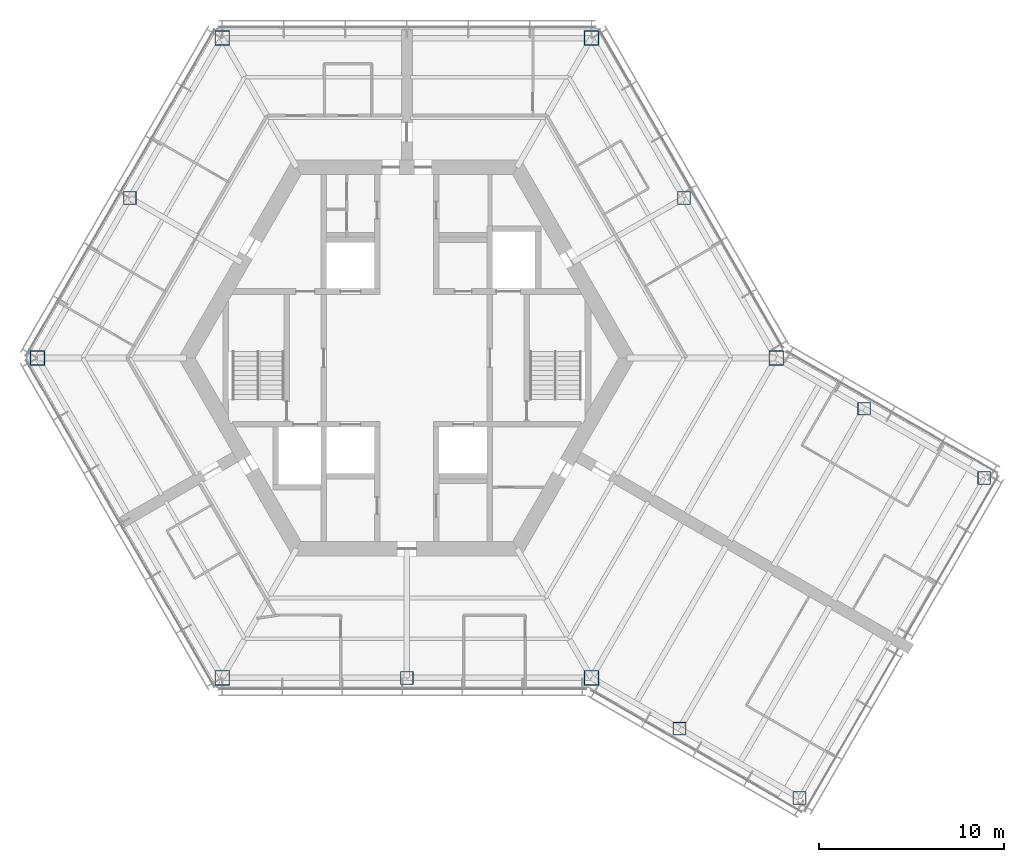
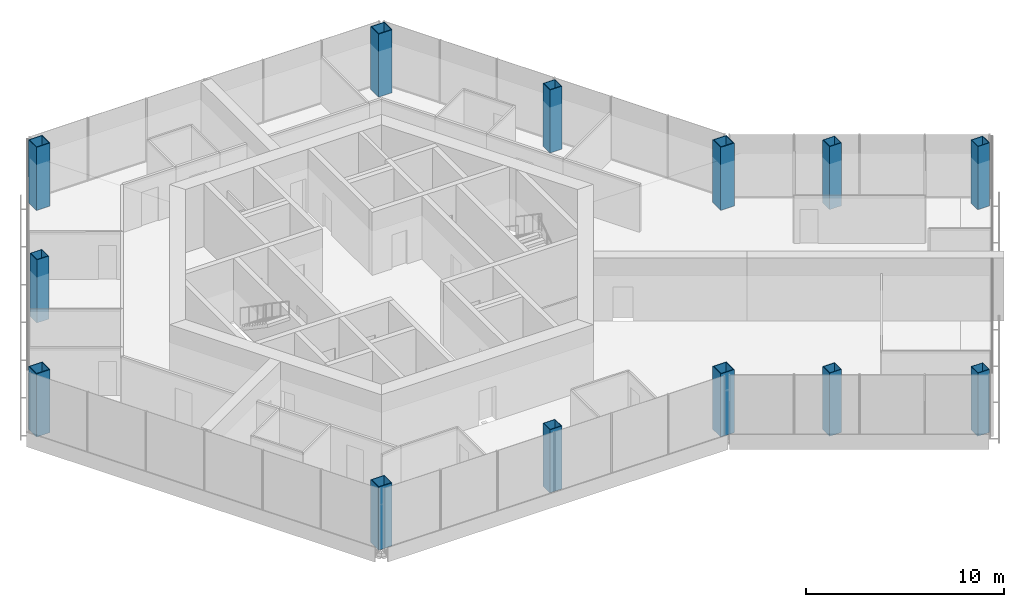
# One storey, part 1 of 16: 13 columns.
"""IFC4 building model written with IfcOpenShell, lengths in metres."""

from ifc_helpers import new_model, si_unit, direction, frame, origin, origin_2d, place, context, subcontext, project, spatial, hollow_rectangle, extrude, material, material_profile, profile_set, type_object, element, save


model = new_model("IFC4")

# Units and contexts
model_context = context("Model", 3, precision=1e-05, world=origin(), true_north=direction((0.0, 1.0)))
body_context = subcontext(model_context, "Body", "Model", "MODEL_VIEW")
ifc_project = project(units=[si_unit("LENGTHUNIT", "METRE"), si_unit("AREAUNIT", "SQUARE_METRE"), si_unit("VOLUMEUNIT", "CUBIC_METRE"), si_unit("PLANEANGLEUNIT", "RADIAN"), si_unit("MASSUNIT", "GRAM", prefix="KILO")], contexts=[model_context])

# Site, building, storey
site_placement = place(None, origin())
site = spatial("IfcSite", under=ifc_project, at=site_placement, CompositionType="ELEMENT")
building_placement = place(site_placement, origin())
building = spatial("IfcBuilding", under=site, at=building_placement, Name="Kasaneha Research Tower", CompositionType="ELEMENT")
storey_placement = place(building_placement, frame((0.0, 0.0, 259.60009765625)))
storey = spatial("IfcBuildingStorey", under=building, at=storey_placement, Name="L65", CompositionType="ELEMENT", Elevation=259.60009765625)

# Columns
ifc_material_1 = material(Name="Steel SN490C", Category="steel")
ifc_material_profile_1 = material_profile(ifc_material_1, hollow_rectangle(XDim=0.800048828125, YDim=0.800048828125, WallThickness=0.0400390625, at=origin_2d()), Name="BOX-800x800x40")
ifc_profile_set_1 = profile_set([ifc_material_profile_1], Name="Steel SN490C")
column_type_1 = type_object("IfcColumnType", Name="C4A column BOX-800x800x40", PredefinedType="COLUMN", material=ifc_profile_set_1)
for number, where, z_axis, x_axis, name in (
    (1, (20.0, 0.0, 0.0), (0.0, 0.0, 1.0), (1.0, 0.0, 0.0), "Column V0 L65"),
    (2, (10.0, 17.320556640625, 0.0), (0.0, 0.0, 1.0), (1.0, 0.0, 0.0), "Column V1 L65"),
    (3, (-10.0, 17.320556640625, 0.0), (0.0, 0.0, 1.0), (1.0, 0.0, 0.0), "Column V2 L65"),
    (4, (-20.0, 0.0, 0.0), (0.0, 0.0, 1.0), (1.0, 0.0, 0.0), "Column V3 L65"),
    (5, (-10.0, -17.320556640625, 0.0), (0.0, 0.0, 1.0), (1.0, 0.0, 0.0), "Column V4 L65"),
    (6, (10.0, -17.320556640625, 0.0), (0.0, 0.0, 1.0), (1.0, 0.0, 0.0), "Column V5 L65"),
):
    element("IfcColumn", number, at=place(storey_placement, frame(where, z_axis=z_axis, x_axis=x_axis)), inside=storey, type_object=column_type_1, Name=name, PredefinedType="COLUMN", context=body_context, shape_type="SweptSolid", body=[
        extrude(hollow_rectangle(XDim=0.800048828125, YDim=0.800048828125, WallThickness=0.0400390625, at=origin_2d()), origin(), (0.0, 0.0, 1.0), 3.89990234375),
    ])
ifc_material_2 = material(Name="Steel SN490C", Category="steel")
ifc_material_profile_2 = material_profile(ifc_material_2, hollow_rectangle(XDim=0.699951171875, YDim=0.699951171875, WallThickness=0.031982421875, at=origin_2d()), Name="BOX-700x700x32")
ifc_profile_set_2 = profile_set([ifc_material_profile_2], Name="Steel SN490C")
column_type_2 = type_object("IfcColumnType", Name="C4B column BOX-700x700x32", PredefinedType="COLUMN", material=ifc_profile_set_2)
for number, where, z_axis, x_axis, name in (
    (7, (15.0, 8.66015625, 0.0), (0.0, 0.0, 1.0), (1.0, 0.0, 0.0), "Column M030 L65"),
    (8, (-15.0, 8.66015625, 0.0), (0.0, 0.0, 1.0), (1.0, 0.0, 0.0), "Column M150 L65"),
    (9, (0.0, -17.320556640625, 0.0), (0.0, 0.0, 1.0), (1.0, 0.0, 0.0), "Column M270 L65"),
    (10, (14.76318359375, -20.070556640625, 0.0), (0.0, 0.0, 1.0), (1.0, 0.0, 0.0), "Column CSP L65"),
    (11, (21.25830078125, -23.820556640625, 0.0), (0.0, 0.0, 1.0), (1.0, 0.0, 0.0), "Column CTP L65"),
    (12, (24.76318359375, -2.75, 0.0), (0.0, 0.0, 1.0), (1.0, 0.0, 0.0), "Column CSN L65"),
    (13, (31.25830078125, -6.5, 0.0), (0.0, 0.0, 1.0), (1.0, 0.0, 0.0), "Column CTN L65"),
):
    element("IfcColumn", number, at=place(storey_placement, frame(where, z_axis=z_axis, x_axis=x_axis)), inside=storey, type_object=column_type_2, Name=name, PredefinedType="COLUMN", context=body_context, shape_type="SweptSolid", body=[
        extrude(hollow_rectangle(XDim=0.699951171875, YDim=0.699951171875, WallThickness=0.031982421875, at=origin_2d()), origin(), (0.0, 0.0, 1.0), 3.89990234375),
    ])

save(model, "model.ifc")
